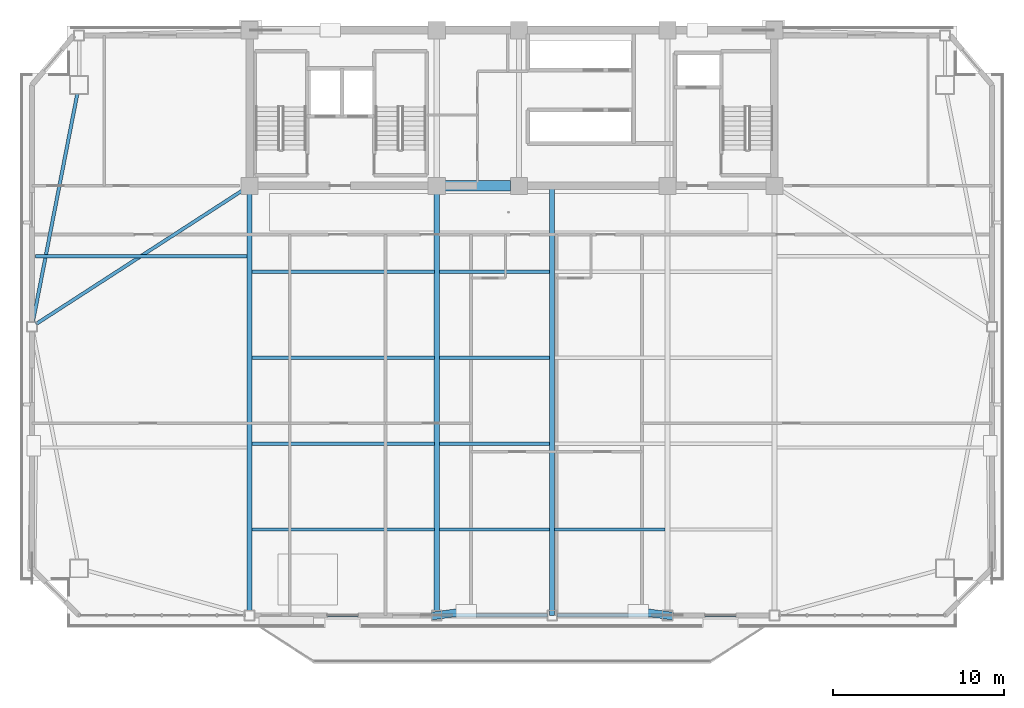
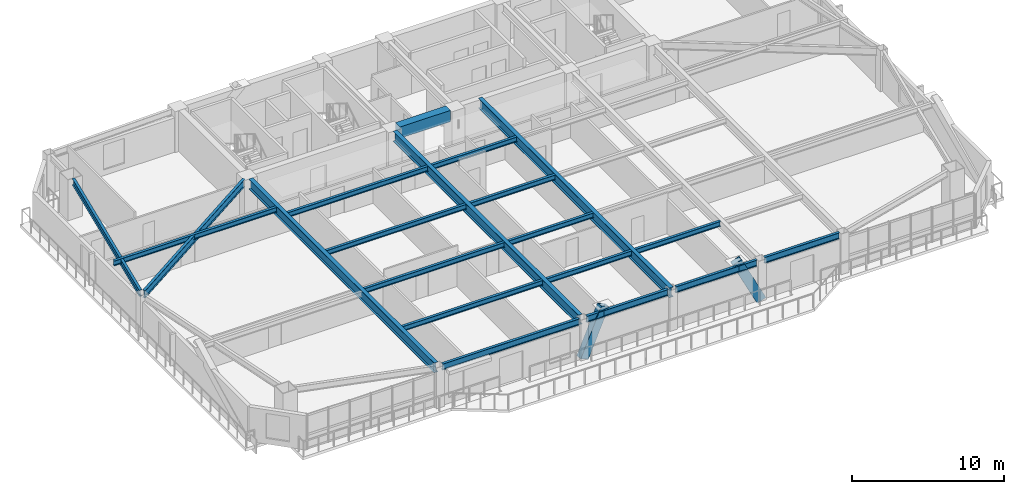
# One storey, part 3 of 17: 20 beams, 2 members.
"""IFC4 building model written with IfcOpenShell, lengths in metres."""

from ifc_helpers import new_model, si_unit, direction, frame, origin, origin_2d, place, context, subcontext, project, spatial, rectangle, hollow_rectangle, i_section, extrude, source, transform, mapped, material, material_profile, profile_set, type_object, element, save


model = new_model("IFC4")

# Units and contexts
model_context = context("Model", 3, precision=1e-05, world=origin(), true_north=direction((0.0, 1.0)))
body_context = subcontext(model_context, "Body", "Model", "MODEL_VIEW")
ifc_project = project(units=[si_unit("LENGTHUNIT", "METRE"), si_unit("AREAUNIT", "SQUARE_METRE"), si_unit("VOLUMEUNIT", "CUBIC_METRE"), si_unit("PLANEANGLEUNIT", "RADIAN"), si_unit("MASSUNIT", "GRAM", prefix="KILO")], contexts=[model_context])

# Site, building, storey
site_placement = place(None, origin())
site = spatial("IfcSite", under=ifc_project, at=site_placement, CompositionType="ELEMENT")
building_placement = place(site_placement, origin())
building = spatial("IfcBuilding", under=site, at=building_placement, Name="Giltprow Tower", CompositionType="ELEMENT")
storey_placement = place(building_placement, frame((0.0, 0.0, 213.199951171875)))
storey = spatial("IfcBuildingStorey", under=building, at=storey_placement, Name="L54", CompositionType="ELEMENT", Elevation=213.199951171875)

# Beams
ifc_material_1 = material(Name="Structural steel Q355B", Category="steel")
ifc_material_profile_1 = material_profile(ifc_material_1, i_section(OverallWidth=0.199951171875, OverallDepth=0.5, WebThickness=0.010009765625, FlangeThickness=0.01611328125, at=origin_2d()), Name="HN 500x200x10x16")
ifc_profile_set_1 = profile_set([ifc_material_profile_1], Name="Structural steel Q355B")
beam_type_1 = type_object("IfcBeamType", Name="BM-SPAN-HN500", PredefinedType="SPANDREL", material=ifc_profile_set_1)
shared_shape_1 = source(origin(), body_context, "Body", "SweptSolid", [
    extrude(i_section(OverallWidth=0.199951171875, OverallDepth=0.5, WebThickness=0.010009765625, FlangeThickness=0.01611328125, at=origin_2d()), origin(), (0.0, 0.0, 1.0), 5.679931640625),
])
beam_1_placement = place(storey_placement, frame((44.5849609375, 12.318115234375, 3.02001953125), z_axis=(1.0, 0.0, 0.0), x_axis=(0.0, 1.0, 0.0)))
element("IfcBeam", 1, at=beam_1_placement, inside=storey, type_object=beam_type_1, Name="L54 Perimeter Spandrel Beam S3-S4", PredefinedType="SPANDREL", context=body_context, shape_type="MappedRepresentation", body=[
    mapped(shared_shape_1, transform((0.0, 0.0, 0.0), x_axis=(1.0, 0.0, 0.0), y_axis=(0.0, 1.0, 0.0), z_axis=(0.0, 0.0, 1.0), scale=1.0)),
])
ifc_material_2 = material(Name="Concrete C50", Category="concrete")
ifc_material_profile_2 = material_profile(ifc_material_2, rectangle(XDim=0.60009765625, YDim=0.89990234375, at=origin_2d()), Name="RC 900x600")
ifc_profile_set_2 = profile_set([ifc_material_profile_2], Name="Concrete C50")
beam_type_2 = type_object("IfcBeamType", Name="BM-CPL-RC900", PredefinedType="LINTEL", material=ifc_profile_set_2)
shared_shape_2 = source(origin(), body_context, "Body", "SweptSolid", [
    extrude(rectangle(XDim=0.60009765625, YDim=0.89990234375, at=origin_2d()), origin(), (0.0, 0.0, 1.0), 3.830078125),
])
beam_2_placement = place(storey_placement, frame((31.284912109375, 37.449951171875, 2.820068359375), z_axis=(1.0, 0.0, 0.0), x_axis=(0.0, 1.0, 0.0)))
element("IfcBeam", 2, at=beam_2_placement, inside=storey, type_object=beam_type_2, Name="L54 Core Coupling Beam CB-1", PredefinedType="LINTEL", context=body_context, shape_type="MappedRepresentation", body=[
    mapped(shared_shape_2, transform((0.0, 0.0, 0.0), x_axis=(1.0, 0.0, 0.0), y_axis=(0.0, 1.0, 0.0), z_axis=(0.0, 0.0, 1.0), scale=1.0)),
])
shared_shape_3 = source(origin(), body_context, "Body", "SweptSolid", [
    extrude(i_section(OverallWidth=0.199951171875, OverallDepth=0.5, WebThickness=0.010009765625, FlangeThickness=0.01611328125, at=origin_2d()), origin(), (0.0, 0.0, 1.0), 10.3798828125),
])
beam_3_placement = place(storey_placement, frame((20.135009765625, 12.318115234375, 3.02001953125), z_axis=(1.0, 0.0, 0.0), x_axis=(0.0, 1.0, 0.0)))
element("IfcBeam", 3, at=beam_3_placement, inside=storey, type_object=beam_type_1, Name="L54 Perimeter Spandrel Beam S1-S2", PredefinedType="SPANDREL", context=body_context, shape_type="MappedRepresentation", body=[
    mapped(shared_shape_3, transform((0.0, 0.0, 0.0), x_axis=(1.0, 0.0, 0.0), y_axis=(0.0, 1.0, 0.0), z_axis=(0.0, 0.0, 1.0), scale=1.0)),
])
shared_shape_4 = source(origin(), body_context, "Body", "SweptSolid", [
    extrude(i_section(OverallWidth=0.199951171875, OverallDepth=0.5, WebThickness=0.010009765625, FlangeThickness=0.01611328125, at=origin_2d()), origin(), (0.0, 0.0, 1.0), 6.179931640625),
])
for number, where, z_axis, x_axis, name in (
    (4, (31.0849609375, 12.318115234375, 3.02001953125), (1.0, 0.0, 0.0), (0.0, 1.0, 0.0), "L54 Perimeter Spandrel Beam S2-S_MID"),
    (5, (37.8349609375, 12.318115234375, 3.02001953125), (1.0, 0.0, 0.0), (0.0, 1.0, 0.0), "L54 Perimeter Spandrel Beam S_MID-S3"),
):
    element("IfcBeam", number, at=place(storey_placement, frame(where, z_axis=z_axis, x_axis=x_axis)), inside=storey, type_object=beam_type_1, Name=name, PredefinedType="SPANDREL", context=body_context, shape_type="MappedRepresentation", body=[
        mapped(shared_shape_4, transform((0.0, 0.0, 0.0), x_axis=(1.0, 0.0, 0.0), y_axis=(0.0, 1.0, 0.0), z_axis=(0.0, 0.0, 1.0), scale=1.0)),
    ])
ifc_material_profile_3 = material_profile(ifc_material_1, i_section(OverallWidth=0.199951171875, OverallDepth=0.39990234375, WebThickness=0.008056640625, FlangeThickness=0.012939453125, at=origin_2d()), Name="HN 400x200x8x13")
ifc_profile_set_3 = profile_set([ifc_material_profile_3], Name="Structural steel Q355B")
beam_type_3 = type_object("IfcBeamType", Name="BM-JOIST-HN400", PredefinedType="JOIST", material=ifc_profile_set_3)
shared_shape_5 = source(origin(), body_context, "Body", "SweptSolid", [
    extrude(i_section(OverallWidth=0.199951171875, OverallDepth=0.39990234375, WebThickness=0.008056640625, FlangeThickness=0.012939453125, at=origin_2d()), origin(), (0.0, 0.0, 1.0), 10.659912109375),
])
for number, where, z_axis, x_axis, name in (
    (6, (19.9951171875, 17.343994140625, 3.070068359375), (1.0, 0.0, 0.0), (0.0, 1.0, 0.0), "L54 Composite Floor Joist 1-1"),
    (7, (19.9951171875, 22.37109375, 3.070068359375), (1.0, 0.0, 0.0), (0.0, 1.0, 0.0), "L54 Composite Floor Joist 2-1"),
    (8, (19.9951171875, 27.39697265625, 3.070068359375), (1.0, 0.0, 0.0), (0.0, 1.0, 0.0), "L54 Composite Floor Joist 3-1"),
    (9, (19.9951171875, 32.424072265625, 3.070068359375), (1.0, 0.0, 0.0), (0.0, 1.0, 0.0), "L54 Composite Floor Joist 4-1"),
):
    element("IfcBeam", number, at=place(storey_placement, frame(where, z_axis=z_axis, x_axis=x_axis)), inside=storey, type_object=beam_type_3, Name=name, PredefinedType="JOIST", context=body_context, shape_type="MappedRepresentation", body=[
        mapped(shared_shape_5, transform((0.0, 0.0, 0.0), x_axis=(1.0, 0.0, 0.0), y_axis=(0.0, 1.0, 0.0), z_axis=(0.0, 0.0, 1.0), scale=1.0)),
    ])
shared_shape_6 = source(origin(), body_context, "Body", "SweptSolid", [
    extrude(i_section(OverallWidth=0.199951171875, OverallDepth=0.39990234375, WebThickness=0.008056640625, FlangeThickness=0.012939453125, at=origin_2d()), origin(), (0.0, 0.0, 1.0), 6.4599609375),
])
for number, where, z_axis, x_axis, name in (
    (10, (30.945068359375, 17.343994140625, 3.070068359375), (1.0, 0.0, 0.0), (0.0, 1.0, 0.0), "L54 Composite Floor Joist 1-2"),
    (11, (37.695068359375, 17.343994140625, 3.070068359375), (1.0, 0.0, 0.0), (0.0, 1.0, 0.0), "L54 Composite Floor Joist 1-3"),
    (12, (30.945068359375, 22.37109375, 3.070068359375), (1.0, 0.0, 0.0), (0.0, 1.0, 0.0), "L54 Composite Floor Joist 2-2"),
    (13, (30.945068359375, 27.39697265625, 3.070068359375), (1.0, 0.0, 0.0), (0.0, 1.0, 0.0), "L54 Composite Floor Joist 3-2"),
    (14, (30.945068359375, 32.424072265625, 3.070068359375), (1.0, 0.0, 0.0), (0.0, 1.0, 0.0), "L54 Composite Floor Joist 4-2"),
):
    element("IfcBeam", number, at=place(storey_placement, frame(where, z_axis=z_axis, x_axis=x_axis)), inside=storey, type_object=beam_type_3, Name=name, PredefinedType="JOIST", context=body_context, shape_type="MappedRepresentation", body=[
        mapped(shared_shape_6, transform((0.0, 0.0, 0.0), x_axis=(1.0, 0.0, 0.0), y_axis=(0.0, 1.0, 0.0), z_axis=(0.0, 0.0, 1.0), scale=1.0)),
    ])
shared_shape_7 = source(origin(), body_context, "Body", "SweptSolid", [
    extrude(i_section(OverallWidth=0.199951171875, OverallDepth=0.5, WebThickness=0.010009765625, FlangeThickness=0.01611328125, at=origin_2d()), origin(), (0.0, 0.0, 1.0), 13.582763671875),
])
beam_4_placement = place(storey_placement, frame((9.77001953125, 42.821044921875, 3.02001953125), z_axis=(-0.19126414203, -0.981538602386, 0.0), x_axis=(0.981538602386, -0.19126414203, 0.0)))
element("IfcBeam", 15, at=beam_4_placement, inside=storey, type_object=beam_type_1, Name="L54 Perimeter Spandrel Beam MC_NW-W_MID", PredefinedType="SPANDREL", context=body_context, shape_type="MappedRepresentation", body=[
    mapped(shared_shape_7, transform((0.0, 0.0, 0.0), x_axis=(1.0, 0.0, 0.0), y_axis=(0.0, 1.0, 0.0), z_axis=(0.0, 0.0, 1.0), scale=1.0)),
])
ifc_material_profile_4 = material_profile(ifc_material_1, i_section(OverallWidth=0.300048828125, OverallDepth=0.800048828125, WebThickness=0.013916015625, FlangeThickness=0.02587890625, at=origin_2d()), Name="HN 800x300x14x26")
ifc_profile_set_4 = profile_set([ifc_material_profile_4], Name="Structural steel Q355B")
beam_type_4 = type_object("IfcBeamType", Name="BM-GIRD-HN800", PredefinedType="BEAM", material=ifc_profile_set_4)
shared_shape_8 = source(origin(), body_context, "Body", "SweptSolid", [
    extrude(i_section(OverallWidth=0.300048828125, OverallDepth=0.800048828125, WebThickness=0.013916015625, FlangeThickness=0.02587890625, at=origin_2d()), origin(), (0.0, 0.0, 1.0), 24.362060546875),
])
for number, where, z_axis, x_axis, name in (
    (16, (19.85009765625, 12.60302734375, 2.8701171875), (0.0, 1.0, 0.0), (-1.0, 0.0, 0.0), "L54 Primary Lease Girder S1"),
    (17, (30.800048828125, 12.60302734375, 2.8701171875), (0.0, 1.0, 0.0), (-1.0, 0.0, 0.0), "L54 Primary Lease Girder S2"),
):
    element("IfcBeam", number, at=place(storey_placement, frame(where, z_axis=z_axis, x_axis=x_axis)), inside=storey, type_object=beam_type_4, Name=name, PredefinedType="BEAM", context=body_context, shape_type="MappedRepresentation", body=[
        mapped(shared_shape_8, transform((0.0, 0.0, 0.0), x_axis=(1.0, 0.0, 0.0), y_axis=(0.0, 1.0, 0.0), z_axis=(0.0, 0.0, 1.0), scale=1.0)),
    ])
shared_shape_9 = source(origin(), body_context, "Body", "SweptSolid", [
    extrude(i_section(OverallWidth=0.300048828125, OverallDepth=0.800048828125, WebThickness=0.013916015625, FlangeThickness=0.02587890625, at=origin_2d()), origin(), (0.0, 0.0, 1.0), 25.1318359375),
])
beam_5_placement = place(storey_placement, frame((37.550048828125, 12.318115234375, 2.8701171875), z_axis=(0.0, 1.0, 0.0), x_axis=(-1.0, 0.0, 0.0)))
element("IfcBeam", 18, at=beam_5_placement, inside=storey, type_object=beam_type_4, Name="L54 Central Lease Girder SMID", PredefinedType="BEAM", context=body_context, shape_type="MappedRepresentation", body=[
    mapped(shared_shape_9, transform((0.0, 0.0, 0.0), x_axis=(1.0, 0.0, 0.0), y_axis=(0.0, 1.0, 0.0), z_axis=(0.0, 0.0, 1.0), scale=1.0)),
])
ifc_material_profile_5 = material_profile(ifc_material_1, i_section(OverallWidth=0.199951171875, OverallDepth=0.60009765625, WebThickness=0.010986328125, FlangeThickness=0.01708984375, at=origin_2d()), Name="HN 600x200x11x17")
ifc_profile_set_5 = profile_set([ifc_material_profile_5], Name="Structural steel Q355B")
beam_type_5 = type_object("IfcBeamType", Name="BM-GIRD-HN600", PredefinedType="BEAM", material=ifc_profile_set_5)
shared_shape_10 = source(origin(), body_context, "Body", "SweptSolid", [
    extrude(i_section(OverallWidth=0.199951171875, OverallDepth=0.60009765625, WebThickness=0.010986328125, FlangeThickness=0.01708984375, at=origin_2d()), origin(), (0.0, 0.0, 1.0), 14.396484375),
])
beam_6_placement = place(storey_placement, frame((7.35693359375, 29.364013671875, 2.969970703125), z_axis=(0.839521015988, 0.543327216063, 0.0), x_axis=(-0.543327216063, 0.839521015988, 0.0)))
element("IfcBeam", 19, at=beam_6_placement, inside=storey, type_object=beam_type_5, Name="L54 West Wing Primary Girder", PredefinedType="BEAM", context=body_context, shape_type="MappedRepresentation", body=[
    mapped(shared_shape_10, transform((0.0, 0.0, 0.0), x_axis=(1.0, 0.0, 0.0), y_axis=(0.0, 1.0, 0.0), z_axis=(0.0, 0.0, 1.0), scale=1.0)),
])
shared_shape_11 = source(origin(), body_context, "Body", "SweptSolid", [
    extrude(i_section(OverallWidth=0.199951171875, OverallDepth=0.39990234375, WebThickness=0.008056640625, FlangeThickness=0.012939453125, at=origin_2d()), origin(), (0.0, 0.0, 1.0), 12.3671875),
])
beam_7_placement = place(storey_placement, frame((7.337890625, 33.330078125, 3.070068359375), z_axis=(1.0, 0.0, 0.0), x_axis=(0.0, 1.0, 0.0)))
element("IfcBeam", 20, at=beam_7_placement, inside=storey, type_object=beam_type_3, Name="L54 West Wing Floor Joist 2", PredefinedType="JOIST", context=body_context, shape_type="MappedRepresentation", body=[
    mapped(shared_shape_11, transform((0.0, 0.0, 0.0), x_axis=(1.0, 0.0, 0.0), y_axis=(0.0, 1.0, 0.0), z_axis=(0.0, 0.0, 1.0), scale=1.0)),
])

# Members
ifc_material_3 = material(Name="Structural steel Q420GJC", Category="steel")
ifc_material_profile_6 = material_profile(ifc_material_3, hollow_rectangle(XDim=0.449951171875, YDim=0.699951171875, WallThickness=0.031982421875, at=origin_2d()), Name="RHS 700x450x32")
ifc_profile_set_6 = profile_set([ifc_material_profile_6], Name="Structural steel Q420GJC")
member_type = type_object("IfcMemberType", Name="MBR-MEGA-RHS700", PredefinedType="BRACE", material=ifc_profile_set_6)
shared_shape_12 = source(origin(), body_context, "Body", "SweptSolid", [
    extrude(hollow_rectangle(XDim=0.449951171875, YDim=0.699951171875, WallThickness=0.031982421875, at=origin_2d()), origin(), (0.0, 0.0, 1.0), 3.9033203125),
])
member_1_placement = place(storey_placement, frame((30.800048828125, 12.318115234375, 0.0), z_axis=(0.438573742368, 0.06041959999, 0.896661889701), x_axis=(-0.136474851053, 0.990643535804, 0.0)))
element("IfcMember", 21, at=member_1_placement, inside=storey, type_object=member_type, Name="L54 Chevron Mega-Brace S-L", PredefinedType="BRACE", context=body_context, shape_type="MappedRepresentation", body=[
    mapped(shared_shape_12, transform((0.0, 0.0, 0.0), x_axis=(1.0, 0.0, 0.0), y_axis=(0.0, 1.0, 0.0), z_axis=(0.0, 0.0, 1.0), scale=1.0)),
])
shared_shape_13 = source(origin(), body_context, "Body", "SweptSolid", [
    extrude(hollow_rectangle(XDim=0.449951171875, YDim=0.699951171875, WallThickness=0.031982421875, at=origin_2d()), origin(), (0.0, 0.0, 1.0), 3.903564453125),
])
member_2_placement = place(storey_placement, frame((44.300048828125, 12.318115234375, 0.0), z_axis=(-0.438624255895, 0.060417942563, 0.896637292531), x_axis=(-0.136455753165, -0.990646166615, 0.0)))
element("IfcMember", 22, at=member_2_placement, inside=storey, type_object=member_type, Name="L54 Chevron Mega-Brace S-R", PredefinedType="BRACE", context=body_context, shape_type="MappedRepresentation", body=[
    mapped(shared_shape_13, transform((0.0, 0.0, 0.0), x_axis=(1.0, 0.0, 0.0), y_axis=(0.0, 1.0, 0.0), z_axis=(0.0, 0.0, 1.0), scale=1.0)),
])

save(model, "model.ifc")
